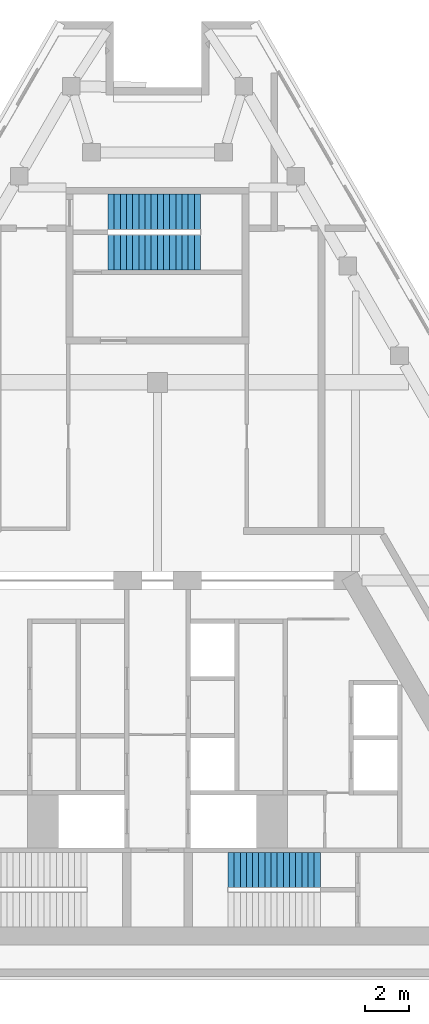
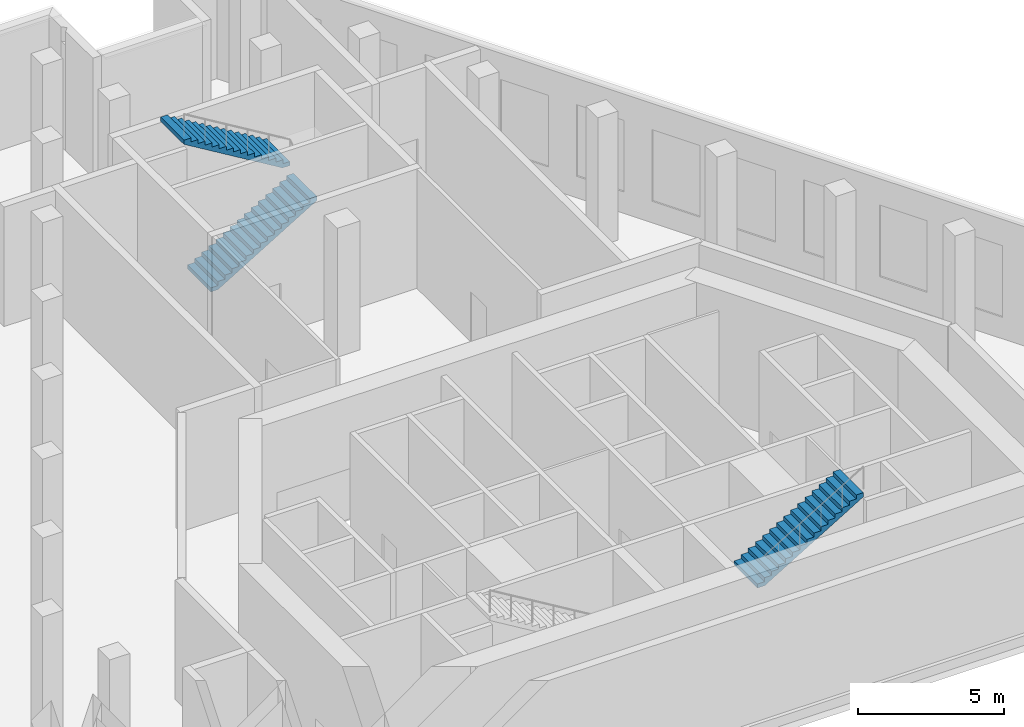
# One storey, part 7 of 8: 3 stair flights, 2 elements without a shape of their own.
"""IFC4 building model written with IfcOpenShell, lengths in metres."""

from ifc_helpers import new_model, si_unit, direction, frame, origin, place, context, subcontext, project, spatial, polyline, outline, extrude, material, type_object, element, aggregate, save


model = new_model("IFC4")

# Units and contexts
model_context = context("Model", 3, precision=1e-05, world=origin(), true_north=direction((0.0, 1.0)))
body_context = subcontext(model_context, "Body", "Model", "MODEL_VIEW")
ifc_project = project(units=[si_unit("LENGTHUNIT", "METRE"), si_unit("AREAUNIT", "SQUARE_METRE"), si_unit("VOLUMEUNIT", "CUBIC_METRE"), si_unit("PLANEANGLEUNIT", "RADIAN"), si_unit("MASSUNIT", "GRAM", prefix="KILO")], contexts=[model_context])

# Site, building, storey
site_placement = place(None, origin())
site = spatial("IfcSite", under=ifc_project, at=site_placement, CompositionType="ELEMENT")
building_placement = place(site_placement, origin())
building = spatial("IfcBuilding", under=site, at=building_placement, Name="Fogline Exchange Tower", CompositionType="ELEMENT")
storey_placement = place(building_placement, frame((0.0, 0.0, 304.5)))
storey = spatial("IfcBuildingStorey", under=building, at=storey_placement, Name="L69", CompositionType="ELEMENT", Elevation=304.5)

# Stair, stair flight
ifc_material = material(Name="Concrete C40", Category="concrete")
stair_type = type_object("IfcStairType", Name="STR32-1688", PredefinedType="HALF_TURN_STAIR", material=ifc_material)
stair_1_placement = place(storey_placement, origin())
stair_1 = element("IfcStair", 1, at=stair_1_placement, inside=storey, type_object=stair_type, Name="Stair ST2", PredefinedType="HALF_TURN_STAIR")
stair_flight_type = type_object("IfcStairFlightType", Name="SF16-1688", PredefinedType="STRAIGHT", material=ifc_material)
stair_flight_1_placement = place(storey_placement, frame((3.199951171875, 4.85009765625, 2.699951171875), z_axis=(0.0, 0.0, 1.0), x_axis=(1.0, 0.0, 0.0)))
stair_flight_1 = element("IfcStairFlight", 2, at=stair_flight_1_placement, type_object=stair_flight_type, Name="ST2 flight 2", NumberOfRisers=16, NumberOfTreads=15, PredefinedType="STRAIGHT", RiserHeight=0.16875, TreadLength=0.28, context=body_context, shape_type="SweptSolid", body=[
    extrude(outline(polyline([(0.0, 0.0), (0.0, 0.168701171875), (0.280029296875, 0.168701171875), (0.280029296875, 0.33740234375), (0.56005859375, 0.33740234375), (0.56005859375, 0.50634765625), (0.840087890625, 0.50634765625), (0.840087890625, 0.675048828125), (1.1201171875, 0.675048828125), (1.1201171875, 0.84375), (1.39990234375, 0.84375), (1.39990234375, 1.012451171875), (1.679931640625, 1.012451171875), (1.679931640625, 1.18115234375), (1.9599609375, 1.18115234375), (1.9599609375, 1.35009765625), (2.239990234375, 1.35009765625), (2.239990234375, 1.518798828125), (2.52001953125, 1.518798828125), (2.52001953125, 1.6875), (2.800048828125, 1.6875), (2.800048828125, 1.856201171875), (3.080078125, 1.856201171875), (3.080078125, 2.02490234375), (3.360107421875, 2.02490234375), (3.360107421875, 2.19384765625), (3.639892578125, 2.19384765625), (3.639892578125, 2.362548828125), (3.919921875, 2.362548828125), (3.919921875, 2.53125), (4.199951171875, 2.53125), (4.199951171875, 2.699951171875), (4.199951171875, 2.356201171875), (0.29052734375, 0.0), (0.0, 0.0)])), frame((0.0, 0.800048828125, 0.0), z_axis=(0.0, -1.0, 0.0), x_axis=(1.0, 0.0, 0.0)), (0.0, 0.0, 1.0), 1.60009765625),
])
aggregate(stair_1, [stair_flight_1])

# Stair, stair flights
stair_2_placement = place(storey_placement, origin())
stair_2 = element("IfcStair", 3, at=stair_2_placement, inside=storey, type_object=stair_type, Name="Stair ST3", PredefinedType="HALF_TURN_STAIR")
stair_flight_2_placement = place(storey_placement, frame((-2.25, 32.906982421875, 0.0), z_axis=(0.0, 0.0, 1.0), x_axis=(1.0, 0.0, 0.0)))
stair_flight_2 = element("IfcStairFlight", 4, at=stair_flight_2_placement, type_object=stair_flight_type, Name="ST3 flight 1", NumberOfRisers=16, NumberOfTreads=15, PredefinedType="STRAIGHT", RiserHeight=0.16875, TreadLength=0.28, context=body_context, shape_type="SweptSolid", body=[
    extrude(outline(polyline([(0.0, 0.0), (0.0, 0.168701171875), (0.280029296875, 0.168701171875), (0.280029296875, 0.33740234375), (0.56005859375, 0.33740234375), (0.56005859375, 0.50634765625), (0.840087890625, 0.50634765625), (0.840087890625, 0.675048828125), (1.1201171875, 0.675048828125), (1.1201171875, 0.84375), (1.39990234375, 0.84375), (1.39990234375, 1.012451171875), (1.679931640625, 1.012451171875), (1.679931640625, 1.18115234375), (1.9599609375, 1.18115234375), (1.9599609375, 1.35009765625), (2.239990234375, 1.35009765625), (2.239990234375, 1.518798828125), (2.52001953125, 1.518798828125), (2.52001953125, 1.6875), (2.800048828125, 1.6875), (2.800048828125, 1.856201171875), (3.080078125, 1.856201171875), (3.080078125, 2.02490234375), (3.360107421875, 2.02490234375), (3.360107421875, 2.19384765625), (3.639892578125, 2.19384765625), (3.639892578125, 2.362548828125), (3.919921875, 2.362548828125), (3.919921875, 2.53125), (4.199951171875, 2.53125), (4.199951171875, 2.699951171875), (4.199951171875, 2.356201171875), (0.29052734375, 0.0), (0.0, 0.0)])), frame((0.0, 0.800048828125, 0.0), z_axis=(0.0, -1.0, 0.0), x_axis=(1.0, 0.0, 0.0)), (0.0, 0.0, 1.0), 1.60009765625),
])
stair_flight_3_placement = place(storey_placement, frame((1.949951171875, 34.757080078125, 2.699951171875), z_axis=(0.0, 0.0, 1.0), x_axis=(-1.0, 0.0, 0.0)))
stair_flight_3 = element("IfcStairFlight", 5, at=stair_flight_3_placement, type_object=stair_flight_type, Name="ST3 flight 2", NumberOfRisers=16, NumberOfTreads=15, PredefinedType="STRAIGHT", RiserHeight=0.16875, TreadLength=0.28, context=body_context, shape_type="SweptSolid", body=[
    extrude(outline(polyline([(0.0, 0.0), (0.0, 0.168701171875), (0.280029296875, 0.168701171875), (0.280029296875, 0.33740234375), (0.56005859375, 0.33740234375), (0.56005859375, 0.50634765625), (0.840087890625, 0.50634765625), (0.840087890625, 0.675048828125), (1.1201171875, 0.675048828125), (1.1201171875, 0.84375), (1.39990234375, 0.84375), (1.39990234375, 1.012451171875), (1.679931640625, 1.012451171875), (1.679931640625, 1.18115234375), (1.9599609375, 1.18115234375), (1.9599609375, 1.35009765625), (2.239990234375, 1.35009765625), (2.239990234375, 1.518798828125), (2.52001953125, 1.518798828125), (2.52001953125, 1.6875), (2.800048828125, 1.6875), (2.800048828125, 1.856201171875), (3.080078125, 1.856201171875), (3.080078125, 2.02490234375), (3.360107421875, 2.02490234375), (3.360107421875, 2.19384765625), (3.639892578125, 2.19384765625), (3.639892578125, 2.362548828125), (3.919921875, 2.362548828125), (3.919921875, 2.53125), (4.199951171875, 2.53125), (4.199951171875, 2.699951171875), (4.199951171875, 2.356201171875), (0.29052734375, 0.0), (0.0, 0.0)])), frame((0.0, 0.800048828125, 0.0), z_axis=(0.0, -1.0, 0.0), x_axis=(1.0, 0.0, 0.0)), (0.0, 0.0, 1.0), 1.60009765625),
])
aggregate(stair_2, [stair_flight_2, stair_flight_3])

save(model, "model.ifc")
